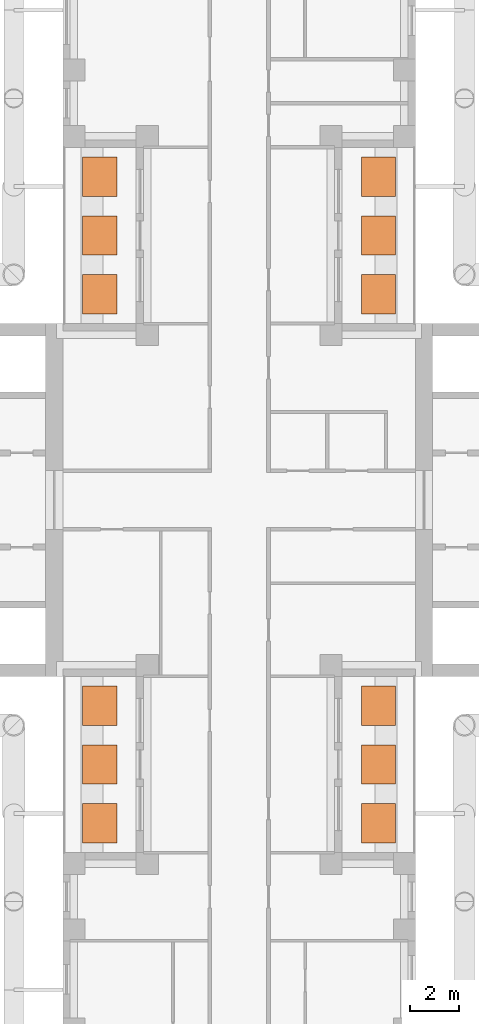
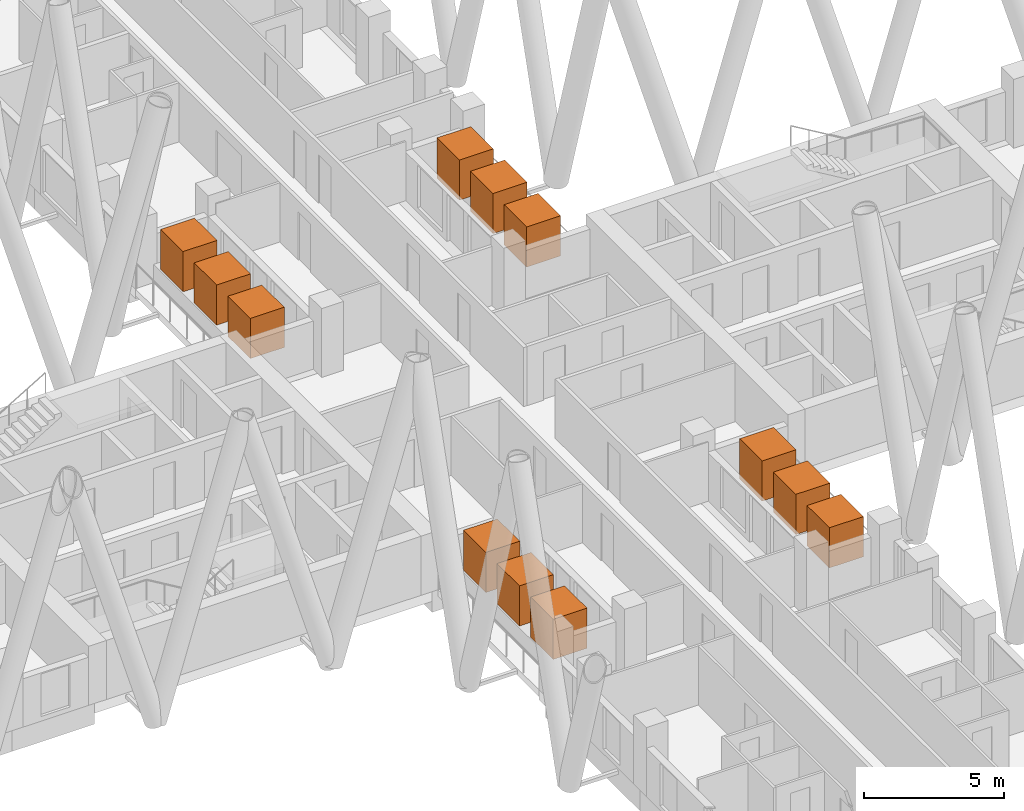
# One storey, part 16 of 16: 12 geographic elements.
"""IFC4 building model written with IfcOpenShell, lengths in metres."""

from ifc_helpers import new_model, si_unit, direction, frame, origin, origin_2d, place, context, subcontext, project, spatial, rectangle, extrude, material, element, save


model = new_model("IFC4")

# Units and contexts
model_context = context("Model", 3, precision=1e-05, world=origin(), true_north=direction((0.0, 1.0)))
body_context = subcontext(model_context, "Body", "Model", "MODEL_VIEW")
ifc_project = project(units=[si_unit("LENGTHUNIT", "METRE"), si_unit("AREAUNIT", "SQUARE_METRE"), si_unit("VOLUMEUNIT", "CUBIC_METRE"), si_unit("PLANEANGLEUNIT", "RADIAN"), si_unit("MASSUNIT", "GRAM", prefix="KILO")], contexts=[model_context])

# Site, building, storey
site_placement = place(None, origin())
site = spatial("IfcSite", under=ifc_project, at=site_placement, CompositionType="ELEMENT")
building_placement = place(site_placement, origin())
building = spatial("IfcBuilding", under=site, at=building_placement, Name="Fustian Cross Tower", CompositionType="ELEMENT")
storey_placement = place(building_placement, frame((0.0, 0.0, 44.699951171875)))
storey = spatial("IfcBuildingStorey", under=building, at=storey_placement, Name="L13", CompositionType="ELEMENT", Elevation=44.699951171875)

# Geographic elements
ifc_material = material(Name="Evergreen foliage")
for number, where, z_axis, x_axis, name in (
    (1, (5.68994140625, 8.39990234375, 0.800048828125), (0.0, 0.0, 1.0), (1.0, 0.0, 0.0), "TREE field maple"),
    (2, (5.68994140625, 10.800048828125, 0.800048828125), (0.0, 0.0, 1.0), (1.0, 0.0, 0.0), "TREE field maple"),
    (3, (5.68994140625, 13.199951171875, 0.800048828125), (0.0, 0.0, 1.0), (1.0, 0.0, 0.0), "TREE field maple"),
    (4, (-5.68994140625, 8.39990234375, 0.800048828125), (0.0, 0.0, 1.0), (1.0, 0.0, 0.0), "TREE field maple"),
    (5, (-5.68994140625, 10.800048828125, 0.800048828125), (0.0, 0.0, 1.0), (1.0, 0.0, 0.0), "TREE field maple"),
    (6, (-5.68994140625, 13.199951171875, 0.800048828125), (0.0, 0.0, 1.0), (1.0, 0.0, 0.0), "TREE field maple"),
    (7, (5.68994140625, -13.199951171875, 0.800048828125), (0.0, 0.0, 1.0), (1.0, 0.0, 0.0), "TREE field maple"),
    (8, (5.68994140625, -10.800048828125, 0.800048828125), (0.0, 0.0, 1.0), (1.0, 0.0, 0.0), "TREE field maple"),
    (9, (5.68994140625, -8.39990234375, 0.800048828125), (0.0, 0.0, 1.0), (1.0, 0.0, 0.0), "TREE field maple"),
    (10, (-5.68994140625, -13.199951171875, 0.800048828125), (0.0, 0.0, 1.0), (1.0, 0.0, 0.0), "TREE field maple"),
    (11, (-5.68994140625, -10.800048828125, 0.800048828125), (0.0, 0.0, 1.0), (1.0, 0.0, 0.0), "TREE field maple"),
    (12, (-5.68994140625, -8.39990234375, 0.800048828125), (0.0, 0.0, 1.0), (1.0, 0.0, 0.0), "TREE field maple"),
):
    element("IfcGeographicElement", number, at=place(storey_placement, frame(where, z_axis=z_axis, x_axis=x_axis)), inside=storey, material=ifc_material, Name=name, ObjectType="VEGETATION", PredefinedType="USERDEFINED", context=body_context, shape_type="SweptSolid", body=[
        extrude(rectangle(XDim=1.39990234375, YDim=1.60009765625, at=origin_2d()), origin(), (0.0, 0.0, 1.0), 1.75),
    ])

save(model, "model.ifc")
